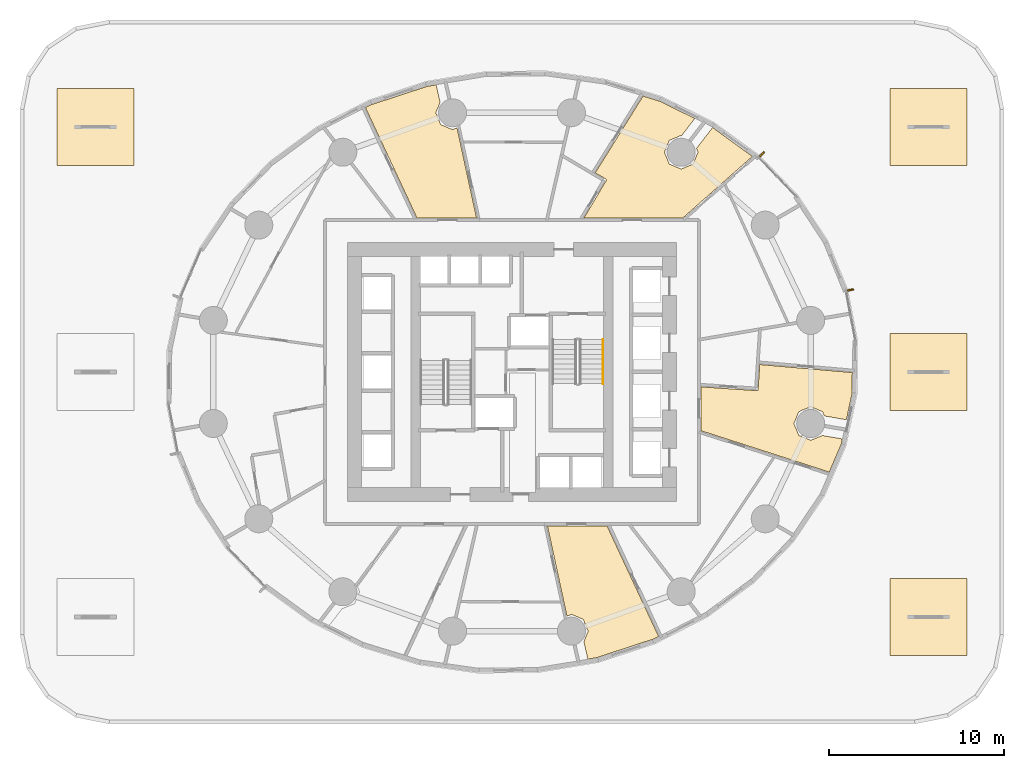
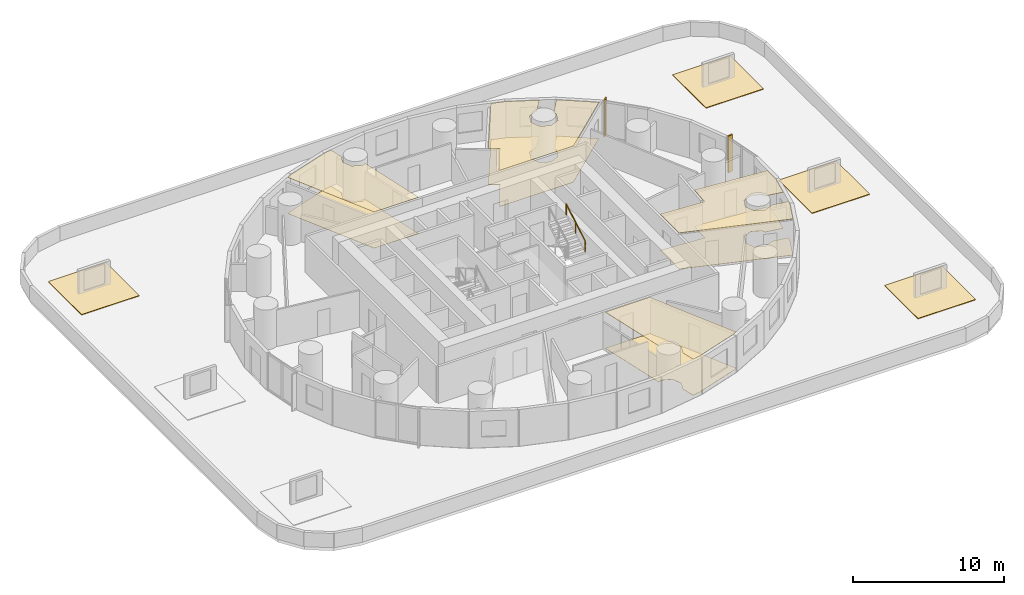
# One storey, part 12 of 12: 12 coverings, 2 shading devices, 1 railing.
"""IFC4 building model written with IfcOpenShell, lengths in metres."""

from ifc_helpers import new_model, si_unit, direction, frame, origin, origin_2d, place, context, subcontext, project, spatial, polyline, rectangle, outline, extrude, material, layer, layer_set, type_object, element, save


model = new_model("IFC4")

# Units and contexts
model_context = context("Model", 3, precision=1e-05, world=origin(), true_north=direction((0.0, 1.0)))
body_context = subcontext(model_context, "Body", "Model", "MODEL_VIEW")
ifc_project = project(units=[si_unit("LENGTHUNIT", "METRE"), si_unit("AREAUNIT", "SQUARE_METRE"), si_unit("VOLUMEUNIT", "CUBIC_METRE"), si_unit("PLANEANGLEUNIT", "RADIAN"), si_unit("MASSUNIT", "GRAM", prefix="KILO")], contexts=[model_context])

# Site, building, storey
site_placement = place(None, origin())
site = spatial("IfcSite", under=ifc_project, at=site_placement, CompositionType="ELEMENT")
building_placement = place(site_placement, origin())
building = spatial("IfcBuilding", under=site, at=building_placement, Name="Veldorim Arch Residences", CompositionType="ELEMENT")
storey_placement = place(building_placement, frame((0.0, 0.0, 24.800048828125)))
storey = spatial("IfcBuildingStorey", under=building, at=storey_placement, Name="L06", CompositionType="ELEMENT", Elevation=24.800048828125)

# Coverings
ifc_material_1 = material(Name="EPDM Waterproofing Membrane", Category="membrane")
ifc_layer_1 = layer(ifc_material_1, 0.050048828125, Name="Green Roof Waterproofing & Root-Barrier Membrane")
ifc_layer_set_1 = layer_set([ifc_layer_1], Name="EPDM Waterproofing Membrane")
covering_type_1 = type_object("IfcCoveringType", Name="Green Roof Waterproofing & Root-Barrier Membrane", PredefinedType="ROOFING", material=ifc_layer_set_1)
covering_1_placement = place(storey_placement, origin())
element("IfcCovering", 1, at=covering_1_placement, inside=storey, type_object=covering_type_1, Name="L06 podium roof garden waterproofing membrane 03", PredefinedType="ROOFING", context=body_context, shape_type="SweptSolid", body=[
    extrude(outline(polyline([(6.0, 35.800048828125), (10.39990234375, 35.800048828125), (10.39990234375, 40.199951171875), (6.0, 40.199951171875), (6.0, 35.800048828125)])), origin(), (0.0, 0.0, 1.0), 0.050048828125),
])
covering_2_placement = place(storey_placement, origin())
element("IfcCovering", 2, at=covering_2_placement, inside=storey, type_object=covering_type_1, Name="L06 podium roof garden waterproofing membrane 04", PredefinedType="ROOFING", context=body_context, shape_type="SweptSolid", body=[
    extrude(outline(polyline([(53.60009765625, 7.800048828125), (58.0, 7.800048828125), (58.0, 12.199951171875), (53.60009765625, 12.199951171875), (53.60009765625, 7.800048828125)])), origin(), (0.0, 0.0, 1.0), 0.050048828125),
])
covering_3_placement = place(storey_placement, origin())
element("IfcCovering", 3, at=covering_3_placement, inside=storey, type_object=covering_type_1, Name="L06 podium roof garden waterproofing membrane 05", PredefinedType="ROOFING", context=body_context, shape_type="SweptSolid", body=[
    extrude(outline(polyline([(53.60009765625, 21.800048828125), (58.0, 21.800048828125), (58.0, 26.199951171875), (53.60009765625, 26.199951171875), (53.60009765625, 21.800048828125)])), origin(), (0.0, 0.0, 1.0), 0.050048828125),
])
covering_4_placement = place(storey_placement, origin())
element("IfcCovering", 4, at=covering_4_placement, inside=storey, type_object=covering_type_1, Name="L06 podium roof garden waterproofing membrane 06", PredefinedType="ROOFING", context=body_context, shape_type="SweptSolid", body=[
    extrude(outline(polyline([(53.60009765625, 35.800048828125), (58.0, 35.800048828125), (58.0, 40.199951171875), (53.60009765625, 40.199951171875), (53.60009765625, 35.800048828125)])), origin(), (0.0, 0.0, 1.0), 0.050048828125),
])
ifc_material_2 = material(Name="Acoustic Gypsum & Mineral Fibre", Category="gypsum")
ifc_layer_2 = layer(ifc_material_2, 0.034912109375, Name="Perforated Acoustic Mineral-Fibre Ceiling 35")
ifc_layer_set_2 = layer_set([ifc_layer_2], Name="Acoustic Gypsum & Mineral Fibre")
covering_type_2 = type_object("IfcCoveringType", Name="Perforated Acoustic Mineral-Fibre Ceiling 35", PredefinedType="CEILING", material=ifc_layer_set_2)
covering_5_placement = place(storey_placement, frame((0.0, 0.0, 2.905029296875)))
element("IfcCovering", 5, at=covering_5_placement, inside=storey, type_object=covering_type_2, Name="L06 acoustic suspended ceiling 03", PredefinedType="CEILING", context=body_context, shape_type="SweptSolid", body=[
    extrude(outline(polyline([(36.3544921875, 9.190185546875), (36.0732421875, 9.868896484375), (35.39453125, 10.14990234375), (35.14111328125, 10.044921875), (34.026123046875, 15.199951171875), (37.430908203125, 15.199951171875), (40.373046875, 8.892822265625), (40.0654296875, 8.7353515625), (36.85107421875, 7.68212890625), (36.334228515625, 7.5966796875), (36.1064453125, 8.59130859375), (36.3544921875, 9.190185546875)])), origin(), (0.0, 0.0, 1.0), 0.034912109375),
])
covering_6_placement = place(storey_placement, frame((0.0, 0.0, 2.905029296875)))
element("IfcCovering", 6, at=covering_6_placement, inside=storey, type_object=covering_type_2, Name="L06 acoustic suspended ceiling 04", PredefinedType="CEILING", context=body_context, shape_type="SweptSolid", body=[
    extrude(outline(polyline([(49.065673828125, 20.09423828125), (49.73291015625, 20.37060546875), (50.87060546875, 20.17431640625), (50.802001953125, 19.853759765625), (50.127685546875, 18.280029296875), (42.800048828125, 20.643310546875), (42.800048828125, 23.147705078125), (46.054931640625, 22.9296875), (46.155029296875, 24.4248046875), (51.44140625, 23.96630859375), (51.426513671875, 22.76708984375), (51.105712890625, 21.270263671875), (49.845947265625, 21.48779296875), (49.744384765625, 21.73291015625), (49.065673828125, 22.013916015625), (48.386962890625, 21.73291015625), (48.105712890625, 21.05419921875), (48.386962890625, 20.37548828125), (49.065673828125, 20.09423828125)])), origin(), (0.0, 0.0, 1.0), 0.034912109375),
])
covering_7_placement = place(storey_placement, frame((0.0, 0.0, 2.905029296875)))
element("IfcCovering", 7, at=covering_7_placement, inside=storey, type_object=covering_type_2, Name="L06 acoustic suspended ceiling 05", PredefinedType="CEILING", context=body_context, shape_type="SweptSolid", body=[
    extrude(outline(polyline([(41.6669921875, 37.51513671875), (40.98828125, 37.23388671875), (40.70703125, 36.55517578125), (40.98828125, 35.87646484375), (41.6669921875, 35.59521484375), (42.345703125, 35.87646484375), (42.626708984375, 36.55517578125), (42.5380859375, 36.76904296875), (43.4599609375, 37.9658203125), (45.7353515625, 36.31640625), (41.76220703125, 32.800048828125), (36.113037109375, 32.800048828125), (37.41357421875, 34.9912109375), (36.7578125, 35.38037109375), (39.48779296875, 39.76171875), (40.456787109375, 39.46533203125), (42.4453125, 38.48388671875), (41.69140625, 37.5048828125), (41.6669921875, 37.51513671875)])), origin(), (0.0, 0.0, 1.0), 0.034912109375),
])
covering_8_placement = place(storey_placement, frame((0.0, 0.0, 2.905029296875)))
element("IfcCovering", 8, at=covering_8_placement, inside=storey, type_object=covering_type_2, Name="L06 acoustic suspended ceiling 06", PredefinedType="CEILING", context=body_context, shape_type="SweptSolid", body=[
    extrude(outline(polyline([(27.665771484375, 40.4033203125), (27.8935546875, 39.40869140625), (27.6455078125, 38.809814453125), (27.9267578125, 38.131103515625), (28.60546875, 37.85009765625), (28.85888671875, 37.955078125), (29.973876953125, 32.800048828125), (26.569091796875, 32.800048828125), (23.626953125, 39.107177734375), (23.9345703125, 39.2646484375), (27.14892578125, 40.31787109375), (27.665771484375, 40.4033203125)])), origin(), (0.0, 0.0, 1.0), 0.034912109375),
])
ifc_material_3 = material(Name="Porcelain Ceramic Tile", Category="ceramic")
ifc_layer_3 = layer(ifc_material_3, 0.02001953125, Name="Slip-Resistant Porcelain & Vinyl Floor Finish 20")
ifc_layer_set_3 = layer_set([ifc_layer_3], Name="Porcelain Ceramic Tile")
covering_type_3 = type_object("IfcCoveringType", Name="Slip-Resistant Porcelain & Vinyl Floor Finish 20", PredefinedType="FLOORING", material=ifc_layer_set_3)
covering_9_placement = place(storey_placement, origin())
element("IfcCovering", 9, at=covering_9_placement, inside=storey, type_object=covering_type_3, Name="L06 porcelain floor finish 03", PredefinedType="FLOORING", context=body_context, shape_type="SweptSolid", body=[
    extrude(outline(polyline([(36.3544921875, 9.190185546875), (36.0732421875, 9.868896484375), (35.39453125, 10.14990234375), (35.14111328125, 10.044921875), (34.026123046875, 15.199951171875), (37.430908203125, 15.199951171875), (40.373046875, 8.892822265625), (40.0654296875, 8.7353515625), (36.85107421875, 7.68212890625), (36.334228515625, 7.5966796875), (36.1064453125, 8.59130859375), (36.3544921875, 9.190185546875)])), origin(), (0.0, 0.0, 1.0), 0.02001953125),
])
covering_10_placement = place(storey_placement, origin())
element("IfcCovering", 10, at=covering_10_placement, inside=storey, type_object=covering_type_3, Name="L06 porcelain floor finish 04", PredefinedType="FLOORING", context=body_context, shape_type="SweptSolid", body=[
    extrude(outline(polyline([(49.065673828125, 20.09423828125), (49.73291015625, 20.37060546875), (50.87060546875, 20.17431640625), (50.802001953125, 19.853759765625), (50.127685546875, 18.280029296875), (42.800048828125, 20.643310546875), (42.800048828125, 23.147705078125), (46.054931640625, 22.9296875), (46.155029296875, 24.4248046875), (51.44140625, 23.96630859375), (51.426513671875, 22.76708984375), (51.105712890625, 21.270263671875), (49.845947265625, 21.48779296875), (49.744384765625, 21.73291015625), (49.065673828125, 22.013916015625), (48.386962890625, 21.73291015625), (48.105712890625, 21.05419921875), (48.386962890625, 20.37548828125), (49.065673828125, 20.09423828125)])), origin(), (0.0, 0.0, 1.0), 0.02001953125),
])
covering_11_placement = place(storey_placement, origin())
element("IfcCovering", 11, at=covering_11_placement, inside=storey, type_object=covering_type_3, Name="L06 porcelain floor finish 05", PredefinedType="FLOORING", context=body_context, shape_type="SweptSolid", body=[
    extrude(outline(polyline([(41.6669921875, 37.51513671875), (40.98828125, 37.23388671875), (40.70703125, 36.55517578125), (40.98828125, 35.87646484375), (41.6669921875, 35.59521484375), (42.345703125, 35.87646484375), (42.626708984375, 36.55517578125), (42.5380859375, 36.76904296875), (43.4599609375, 37.9658203125), (45.7353515625, 36.31640625), (41.76220703125, 32.800048828125), (36.113037109375, 32.800048828125), (37.41357421875, 34.9912109375), (36.7578125, 35.38037109375), (39.48779296875, 39.76171875), (40.456787109375, 39.46533203125), (42.4453125, 38.48388671875), (41.69140625, 37.5048828125), (41.6669921875, 37.51513671875)])), origin(), (0.0, 0.0, 1.0), 0.02001953125),
])
covering_12_placement = place(storey_placement, origin())
element("IfcCovering", 12, at=covering_12_placement, inside=storey, type_object=covering_type_3, Name="L06 porcelain floor finish 06", PredefinedType="FLOORING", context=body_context, shape_type="SweptSolid", body=[
    extrude(outline(polyline([(27.665771484375, 40.4033203125), (27.8935546875, 39.40869140625), (27.6455078125, 38.809814453125), (27.9267578125, 38.131103515625), (28.60546875, 37.85009765625), (28.85888671875, 37.955078125), (29.973876953125, 32.800048828125), (26.569091796875, 32.800048828125), (23.626953125, 39.107177734375), (23.9345703125, 39.2646484375), (27.14892578125, 40.31787109375), (27.665771484375, 40.4033203125)])), origin(), (0.0, 0.0, 1.0), 0.02001953125),
])

# Railing
ifc_material_4 = material(Name="Stainless Steel", Category="steel")
railing_type = type_object("IfcRailingType", Name="Tubular Steel Continuous Wall Handrail 900", PredefinedType="HANDRAIL", material=ifc_material_4)
railing_placement = place(storey_placement, frame((37.199951171875, 23.330078125, 1.760009765625)))
element("IfcRailing", 13, at=railing_placement, inside=storey, type_object=railing_type, Name="L06 ST-2 stair handrail 2", PredefinedType="HANDRAIL", context=body_context, shape_type="SweptSolid", body=[
    extrude(rectangle(XDim=0.048095703125, YDim=0.048095703125, at=origin_2d()), frame((0.0, 0.0, 0.8759765625), z_axis=(0.0, 0.868253494771, 0.496120820787), x_axis=(-1.0, 0.0, 0.0)), (0.0, 0.0, 1.0), 2.90234375),
    extrude(rectangle(XDim=0.0419921875, YDim=0.0419921875, at=origin_2d()), origin(), (0.0, 0.0, 1.0), 0.851806640625),
    extrude(rectangle(XDim=0.0419921875, YDim=0.0419921875, at=origin_2d()), frame((0.0, 1.260009765625, 0.719970703125)), (0.0, 0.0, 1.0), 0.851806640625),
    extrude(rectangle(XDim=0.0419921875, YDim=0.0419921875, at=origin_2d()), frame((0.0, 2.52001953125, 1.43994140625)), (0.0, 0.0, 1.0), 0.851806640625),
])

# Shading devices
ifc_material_5 = material(Name="Terracotta Ceramic", Category="masonry")
ifc_layer_4 = layer(ifc_material_5, 0.090087890625, Name="Vertical Extruded Terracotta Baguette Sun-Shading Fin")
ifc_layer_set_4 = layer_set([ifc_layer_4], Name="Terracotta Ceramic")
shading_device_type = type_object("IfcShadingDeviceType", Name="Vertical Extruded Terracotta Baguette Sun-Shading Fin", PredefinedType="USERDEFINED", material=ifc_layer_set_4)
for number, where, z_axis, x_axis, name in (
    (14, (51.3369140625, 28.6884765625, 0.0), (0.0, 0.0, 1.0), (0.187209870265, -0.982319939976, 0.0), "L06 vertical terracotta sun-shading fin 01"),
    (15, (46.28466796875, 36.44189453125, 0.0), (0.0, 0.0, 1.0), (0.693527577607, -0.720430079257, 0.0), "L06 vertical terracotta sun-shading fin 04"),
):
    element("IfcShadingDevice", number, at=place(storey_placement, frame(where, z_axis=z_axis, x_axis=x_axis)), inside=storey, type_object=shading_device_type, Name=name, ObjectType="FIN", PredefinedType="USERDEFINED", context=body_context, shape_type="SweptSolid", body=[
        extrude(rectangle(XDim=0.090087890625, YDim=0.360107421875, at=origin_2d()), origin(), (0.0, 0.0, 1.0), 2.9599609375),
    ])

save(model, "model.ifc")
